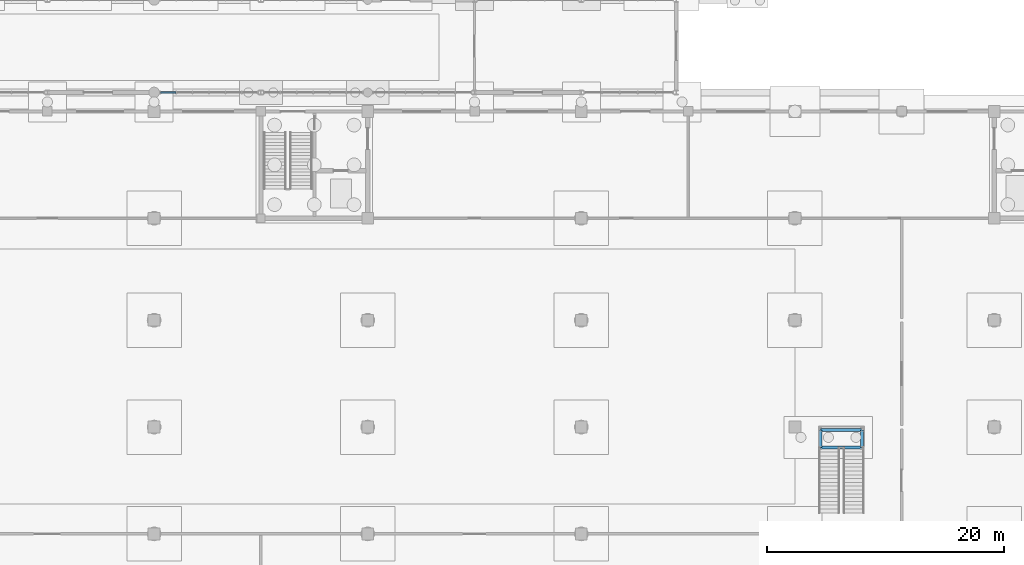
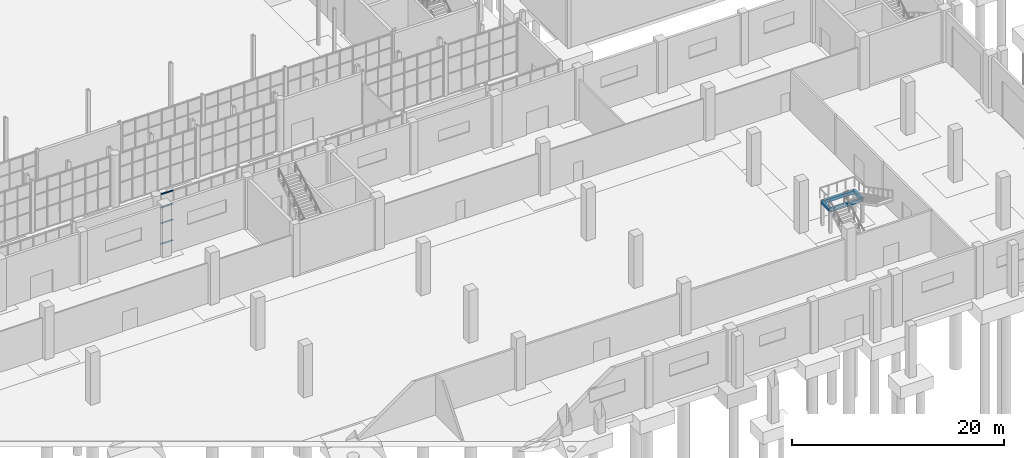
# One storey, part 62 of 131: 4 beams, 4 members, 1 element without a shape of its own.
"""IFC4 building model written with IfcOpenShell, lengths in metres."""

from ifc_helpers import new_model, si_unit, direction, frame, origin, origin_2d, place, context, subcontext, project, spatial, rectangle, hollow_rectangle, extrude, material, layer, layer_set, material_profile, profile_set, type_object, element, aggregate, save


model = new_model("IFC4")

# Units and contexts
model_context = context("Model", 3, precision=1e-05, world=origin(), true_north=direction((0.0, 1.0)))
body_context = subcontext(model_context, "Body", "Model", "MODEL_VIEW")
ifc_project = project(units=[si_unit("LENGTHUNIT", "METRE"), si_unit("AREAUNIT", "SQUARE_METRE"), si_unit("VOLUMEUNIT", "CUBIC_METRE"), si_unit("PLANEANGLEUNIT", "RADIAN"), si_unit("MASSUNIT", "GRAM", prefix="KILO")], contexts=[model_context])

# Site, building, storey
site_placement = place(None, origin())
site = spatial("IfcSite", under=ifc_project, at=site_placement, CompositionType="ELEMENT")
building_placement = place(site_placement, origin())
building = spatial("IfcBuilding", under=site, at=building_placement, Name="Cazmaro Siding Exhibition Halls", CompositionType="ELEMENT")
storey_placement = place(building_placement, origin())
storey = spatial("IfcBuildingStorey", under=building, at=storey_placement, Name="L00", CompositionType="ELEMENT", Elevation=0.0)

# Beams
ifc_material_1 = material(Name="Steel ASTM A500 Grade C", Category="steel")
ifc_material_profile_1 = material_profile(ifc_material_1, hollow_rectangle(XDim=0.25390625, YDim=0.35595703125, WallThickness=0.014892578125, at=origin_2d()), Name="HSS14X10X5/8")
ifc_profile_set_1 = profile_set([ifc_material_profile_1], Name="Steel ASTM A500 Grade C")
beam_type = type_object("IfcBeamType", Name="B-06", PredefinedType="BEAM", material=ifc_profile_set_1)
for number, where, z_axis, x_axis, name in (
    (1, (182.14990234375, 25.27001953125, 2.6220703125), (1.0, 0.0, 0.0), (0.0, 1.0, 0.0), "Beam B-06 BM-2502"),
    (2, (182.14990234375, 26.77001953125, 2.6220703125), (1.0, 0.0, 0.0), (0.0, 1.0, 0.0), "Beam B-06 BM-2503"),
):
    element("IfcBeam", number, at=place(storey_placement, frame(where, z_axis=z_axis, x_axis=x_axis)), inside=storey, type_object=beam_type, Name=name, PredefinedType="BEAM", context=body_context, shape_type="SweptSolid", body=[
        extrude(hollow_rectangle(XDim=0.25390625, YDim=0.35595703125, WallThickness=0.014892578125, at=origin_2d()), origin(), (0.0, 0.0, 1.0), 3.5),
    ])
for number, where, z_axis, x_axis, name in (
    (3, (182.14990234375, 25.27001953125, 2.6220703125), (0.0, 1.0, 0.0), (-1.0, 0.0, 0.0), "Beam B-06 BM-2504"),
    (4, (185.64990234375, 25.27001953125, 2.6220703125), (0.0, 1.0, 0.0), (-1.0, 0.0, 0.0), "Beam B-06 BM-2505"),
):
    element("IfcBeam", number, at=place(storey_placement, frame(where, z_axis=z_axis, x_axis=x_axis)), inside=storey, type_object=beam_type, Name=name, PredefinedType="BEAM", context=body_context, shape_type="SweptSolid", body=[
        extrude(hollow_rectangle(XDim=0.25390625, YDim=0.35595703125, WallThickness=0.014892578125, at=origin_2d()), origin(), (0.0, 0.0, 1.0), 1.5),
    ])

# Curtain wall, members
ifc_material_2 = material(Name="Anodized Bronze Aluminum and Solar-Control Low-E Glazing", Category="aluminium")
ifc_layer = layer(ifc_material_2, 0.179931640625)
ifc_layer_set = layer_set([ifc_layer], Name="Anodized Bronze Aluminum and Solar-Control Low-E Glazing")
curtain_wall_type = type_object("IfcCurtainWallType", Name="CWS-01", PredefinedType="USERDEFINED", material=ifc_layer_set)
curtain_wall_placement = place(storey_placement, origin())
curtain_wall = element("IfcCurtainWall", 5, at=curtain_wall_placement, inside=storey, type_object=curtain_wall_type, Name="Glazed Curtain Wall CWS-01 CW-190", ObjectType="GLAZED CURTAIN WALL", PredefinedType="USERDEFINED")
ifc_material_3 = material(Name="Anodized Bronze Extruded Aluminum", Category="aluminium")
ifc_material_profile_2 = material_profile(ifc_material_3, rectangle(XDim=0.159912109375, YDim=0.06005859375, at=origin_2d()), Name="CWT-01")
ifc_profile_set_2 = profile_set([ifc_material_profile_2], Name="Anodized Bronze Extruded Aluminum")
member_type = type_object("IfcMemberType", Name="CWT-01", PredefinedType="MULLION", material=ifc_profile_set_2)
member_1_placement = place(storey_placement, frame((126.54296875, 55.199951171875, 0.030029296875), z_axis=(1.0, 0.0, 0.0), x_axis=(0.0, 1.0, 0.0)))
member_1 = element("IfcMember", 6, at=member_1_placement, type_object=member_type, Name="CWS-01 transom 1.1", ObjectType="TRANSOM", PredefinedType="USERDEFINED", context=body_context, shape_type="SweptSolid", body=[
    extrude(rectangle(XDim=0.159912109375, YDim=0.06005859375, at=origin_2d()), origin(), (0.0, 0.0, 1.0), 1.291259765625),
])
member_2_placement = place(storey_placement, frame((126.54296875, 55.199951171875, 2.39990234375), z_axis=(1.0, 0.0, 0.0), x_axis=(0.0, 1.0, 0.0)))
member_2 = element("IfcMember", 7, at=member_2_placement, type_object=member_type, Name="CWS-01 transom 1.2", ObjectType="TRANSOM", PredefinedType="USERDEFINED", context=body_context, shape_type="SweptSolid", body=[
    extrude(rectangle(XDim=0.159912109375, YDim=0.06005859375, at=origin_2d()), origin(), (0.0, 0.0, 1.0), 1.291259765625),
])
member_3_placement = place(storey_placement, frame((126.54296875, 55.199951171875, 4.199951171875), z_axis=(1.0, 0.0, 0.0), x_axis=(0.0, 1.0, 0.0)))
member_3 = element("IfcMember", 8, at=member_3_placement, type_object=member_type, Name="CWS-01 transom 1.3", ObjectType="TRANSOM", PredefinedType="USERDEFINED", context=body_context, shape_type="SweptSolid", body=[
    extrude(rectangle(XDim=0.159912109375, YDim=0.06005859375, at=origin_2d()), origin(), (0.0, 0.0, 1.0), 1.291259765625),
])
member_4_placement = place(storey_placement, frame((126.54296875, 55.199951171875, 5.75), z_axis=(1.0, 0.0, 0.0), x_axis=(0.0, 1.0, 0.0)))
member_4 = element("IfcMember", 9, at=member_4_placement, type_object=member_type, Name="CWS-01 transom 1.4", ObjectType="TRANSOM", PredefinedType="USERDEFINED", context=body_context, shape_type="SweptSolid", body=[
    extrude(rectangle(XDim=0.159912109375, YDim=0.06005859375, at=origin_2d()), origin(), (0.0, 0.0, 1.0), 1.291259765625),
])
aggregate(curtain_wall, [member_1, member_2, member_3, member_4])

save(model, "model.ifc")
